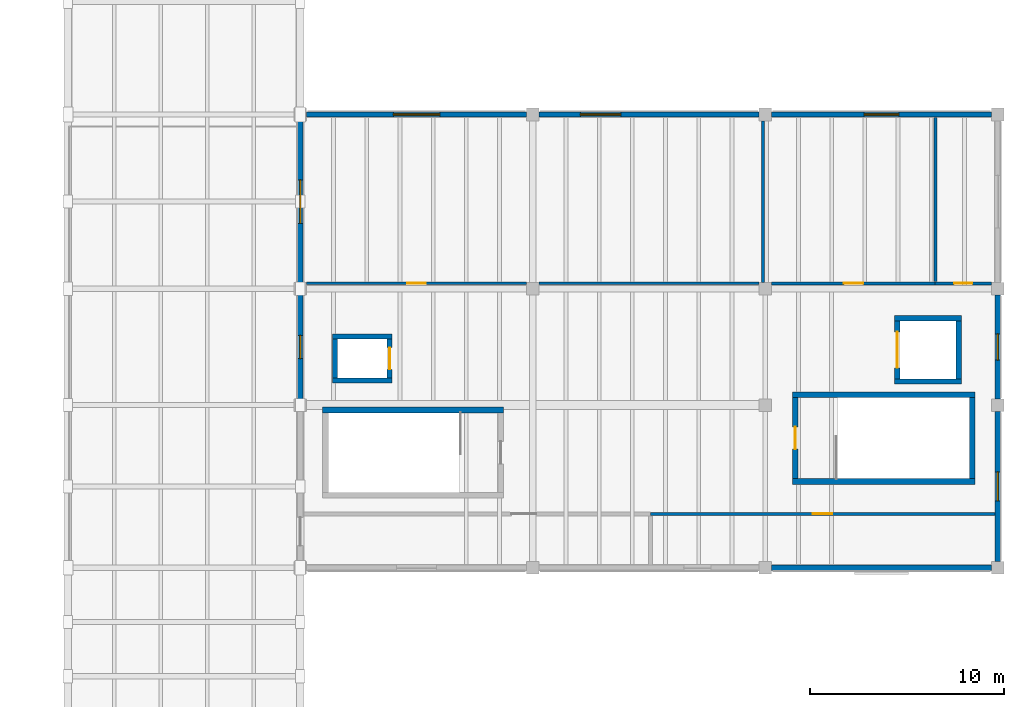
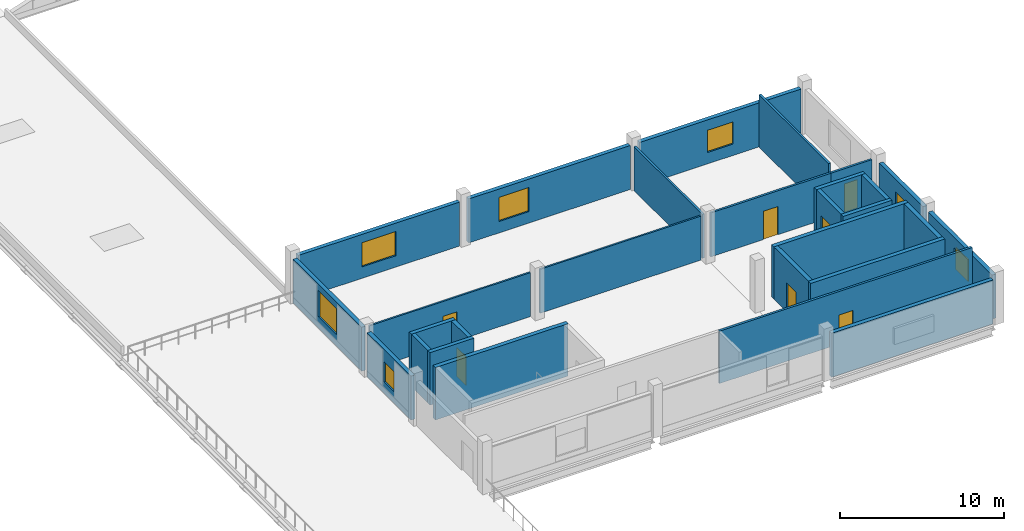
# One storey, part 11 of 19: 28 walls, 7 doors, 7 windows, 14 openings.
"""IFC4 building model written with IfcOpenShell, lengths in metres."""

from ifc_helpers import new_model, si_unit, direction, frame, frame_2d, origin, place, context, subcontext, project, spatial, rectangle, extrude, material, layer, layer_set, type_object, element, fill, save


model = new_model("IFC4")

# Units and contexts
model_context = context("Model", 3, precision=1e-05, world=origin(), true_north=direction((0.0, 1.0)))
body_context = subcontext(model_context, "Body", "Model", "MODEL_VIEW")
ifc_project = project(units=[si_unit("LENGTHUNIT", "METRE"), si_unit("AREAUNIT", "SQUARE_METRE"), si_unit("VOLUMEUNIT", "CUBIC_METRE"), si_unit("PLANEANGLEUNIT", "RADIAN"), si_unit("MASSUNIT", "GRAM", prefix="KILO")], contexts=[model_context])

# Site, building, storey
site_placement = place(None, origin())
site = spatial("IfcSite", under=ifc_project, at=site_placement, CompositionType="ELEMENT")
building_placement = place(site_placement, origin())
building = spatial("IfcBuilding", under=site, at=building_placement, Name="Kelmvaro Bay Concert Hall", CompositionType="ELEMENT")
storey_placement = place(building_placement, frame((0.0, 0.0, 18.300048828125)))
storey = spatial("IfcBuildingStorey", under=building, at=storey_placement, Name="L04", CompositionType="ELEMENT", Elevation=18.300048828125)

# Wall
ifc_material_1 = material(Name="Precast Concrete C40/50", Category="concrete")
ifc_layer_1 = layer(ifc_material_1, 0.280029296875)
ifc_layer_set_1 = layer_set([ifc_layer_1], Name="Precast Concrete C40/50")
wall_type_1 = type_object("IfcWallType", Name="Percussion Pavilion Precast Wall 280", PredefinedType="SOLIDWALL", material=ifc_layer_set_1)
wall_1_placement = place(storey_placement, frame((167.675048828125, 15.60009765625, 0.0), z_axis=(0.0, 0.0, 1.0), x_axis=(-1.0, 0.0, 0.0)))
element("IfcWall", 1, at=wall_1_placement, inside=storey, type_object=wall_type_1, Name="L04 Exterior Wall EW-L04-0243", PredefinedType="SOLIDWALL", context=body_context, shape_type="SweptSolid", body=[
    extrude(rectangle(XDim=11.35009765625, YDim=0.280029296875, at=frame_2d((5.675048828125, 0.0))), origin(), (0.0, 0.0, 1.0), 3.26904296875),
])

# Wall, opening, window
wall_2_placement = place(storey_placement, frame((132.324951171875, 39.0, 0.0), z_axis=(0.0, 0.0, 1.0), x_axis=(1.0, 0.0, 0.0)))
wall_2 = element("IfcWall", 2, at=wall_2_placement, inside=storey, type_object=wall_type_1, Name="L04 Exterior Wall EW-L04-0244", PredefinedType="SOLIDWALL", context=body_context, shape_type="SweptSolid", body=[
    extrude(rectangle(XDim=11.35009765625, YDim=0.280029296875, at=frame_2d((5.675048828125, 0.0))), origin(), (0.0, 0.0, 1.0), 3.26904296875),
])
opening_1_placement = place(wall_2_placement, frame((4.47509765625, 0.0, 0.85009765625)))
opening_1 = element("IfcOpeningElement", 3, at=opening_1_placement, cuts=wall_2, Name="Opening WN-01", PredefinedType="OPENING", context=body_context, shape_type="SweptSolid", body=[
    extrude(rectangle(XDim=2.39990234375, YDim=1.800048828125, at=frame_2d((1.199951171875, 0.89990234375))), frame((0.0, 0.14990234375, 0.0), z_axis=(0.0, -1.0, 0.0), x_axis=(1.0, 0.0, 0.0)), (0.0, 0.0, 1.0), 0.300048828125),
])
ifc_material_2 = material(Name="Thermally Broken Aluminium and Acoustic Low-E Glass", Category="aluminium")
window_type_1 = type_object("IfcWindowType", Name="Bauhaus Ribbon Window 2400x1800", PartitioningType="SINGLE_PANEL", PredefinedType="WINDOW", material=ifc_material_2)
window_1_placement = place(opening_1_placement, origin())
window_1 = element("IfcWindow", 4, at=window_1_placement, inside=storey, type_object=window_type_1, Name="L04 Facade Window WN-L04-0134", OverallHeight=1.800048828125, OverallWidth=2.39990234375, PartitioningType="SINGLE_PANEL", PredefinedType="WINDOW", context=body_context, shape_type="SweptSolid", body=[
    extrude(rectangle(XDim=2.39990234375, YDim=1.800048828125, at=frame_2d((1.199951171875, 0.89990234375))), frame((0.0, 0.030029296875, 0.0), z_axis=(0.0, -1.0, 0.0), x_axis=(1.0, 0.0, 0.0)), (0.0, 0.0, 1.0), 0.06005859375),
])
fill(opening_1, window_1)

wall_3_placement = place(storey_placement, frame((144.324951171875, 39.0, 0.0), z_axis=(0.0, 0.0, 1.0), x_axis=(1.0, 0.0, 0.0)))
wall_3 = element("IfcWall", 5, at=wall_3_placement, inside=storey, type_object=wall_type_1, Name="L04 Exterior Wall EW-L04-0245", PredefinedType="SOLIDWALL", context=body_context, shape_type="SweptSolid", body=[
    extrude(rectangle(XDim=11.35009765625, YDim=0.280029296875, at=frame_2d((5.675048828125, 0.0))), origin(), (0.0, 0.0, 1.0), 3.26904296875),
])
opening_2_placement = place(wall_3_placement, frame((2.1279296875, 0.0, 0.85009765625)))
opening_2 = element("IfcOpeningElement", 6, at=opening_2_placement, cuts=wall_3, Name="Opening WN-02", PredefinedType="OPENING", context=body_context, shape_type="SweptSolid", body=[
    extrude(rectangle(XDim=2.10009765625, YDim=1.800048828125, at=frame_2d((1.050048828125, 0.89990234375))), frame((0.0, 0.14990234375, 0.0), z_axis=(0.0, -1.0, 0.0), x_axis=(1.0, 0.0, 0.0)), (0.0, 0.0, 1.0), 0.300048828125),
])
ifc_material_3 = material(Name="Thermally Broken Aluminium and Acoustic Low-E Glass", Category="aluminium")
window_type_2 = type_object("IfcWindowType", Name="Bauhaus Ribbon Window 2100x1800", PartitioningType="SINGLE_PANEL", PredefinedType="WINDOW", material=ifc_material_3)
window_2_placement = place(opening_2_placement, origin())
window_2 = element("IfcWindow", 7, at=window_2_placement, inside=storey, type_object=window_type_2, Name="L04 Facade Window WN-L04-0135", OverallHeight=1.800048828125, OverallWidth=2.10009765625, PartitioningType="SINGLE_PANEL", PredefinedType="WINDOW", context=body_context, shape_type="SweptSolid", body=[
    extrude(rectangle(XDim=2.10009765625, YDim=1.800048828125, at=frame_2d((1.050048828125, 0.89990234375))), frame((0.0, 0.030029296875, 0.0), z_axis=(0.0, -1.0, 0.0), x_axis=(1.0, 0.0, 0.0)), (0.0, 0.0, 1.0), 0.06005859375),
])
fill(opening_2, window_2)

wall_4_placement = place(storey_placement, frame((156.324951171875, 39.0, 0.0), z_axis=(0.0, 0.0, 1.0), x_axis=(1.0, 0.0, 0.0)))
wall_4 = element("IfcWall", 8, at=wall_4_placement, inside=storey, type_object=wall_type_1, Name="L04 Exterior Wall EW-L04-0246", PredefinedType="SOLIDWALL", context=body_context, shape_type="SweptSolid", body=[
    extrude(rectangle(XDim=11.35009765625, YDim=0.280029296875, at=frame_2d((5.675048828125, 0.0))), origin(), (0.0, 0.0, 1.0), 3.26904296875),
])
opening_3_placement = place(wall_4_placement, frame((4.77490234375, 0.0, 0.85009765625)))
opening_3 = element("IfcOpeningElement", 9, at=opening_3_placement, cuts=wall_4, Name="Opening WN-03", PredefinedType="OPENING", context=body_context, shape_type="SweptSolid", body=[
    extrude(rectangle(XDim=1.800048828125, YDim=1.64990234375, at=frame_2d((0.89990234375, 0.824951171875))), frame((0.0, 0.14990234375, 0.0), z_axis=(0.0, -1.0, 0.0), x_axis=(1.0, 0.0, 0.0)), (0.0, 0.0, 1.0), 0.300048828125),
])
ifc_material_4 = material(Name="Thermally Broken Aluminium and Acoustic Low-E Glass", Category="aluminium")
window_type_3 = type_object("IfcWindowType", Name="Practice Studio Acoustic Window 1800x1650", PartitioningType="SINGLE_PANEL", PredefinedType="WINDOW", material=ifc_material_4)
window_3_placement = place(opening_3_placement, origin())
window_3 = element("IfcWindow", 10, at=window_3_placement, inside=storey, type_object=window_type_3, Name="L04 Facade Window WN-L04-0136", OverallHeight=1.64990234375, OverallWidth=1.800048828125, PartitioningType="SINGLE_PANEL", PredefinedType="WINDOW", context=body_context, shape_type="SweptSolid", body=[
    extrude(rectangle(XDim=1.800048828125, YDim=1.64990234375, at=frame_2d((0.89990234375, 0.824951171875))), frame((0.0, 0.030029296875, 0.0), z_axis=(0.0, -1.0, 0.0), x_axis=(1.0, 0.0, 0.0)), (0.0, 0.0, 1.0), 0.06005859375),
])
fill(opening_3, window_3)

wall_5_placement = place(storey_placement, frame((168.0, 23.675048828125, 0.0), z_axis=(0.0, 0.0, 1.0), x_axis=(0.0, -1.0, 0.0)))
wall_5 = element("IfcWall", 11, at=wall_5_placement, inside=storey, type_object=wall_type_1, Name="L04 Exterior Wall EW-L04-0247", PredefinedType="SOLIDWALL", context=body_context, shape_type="SweptSolid", body=[
    extrude(rectangle(XDim=7.75, YDim=0.280029296875, at=frame_2d((3.875, 0.0))), origin(), (0.0, 0.0, 1.0), 3.26806640625),
])
opening_4_placement = place(wall_5_placement, frame((3.125, 0.0, 0.85009765625)))
opening_4 = element("IfcOpeningElement", 12, at=opening_4_placement, cuts=wall_5, Name="Opening WN-04", PredefinedType="OPENING", context=body_context, shape_type="SweptSolid", body=[
    extrude(rectangle(XDim=1.5, YDim=1.64990234375, at=frame_2d((0.75, 0.824951171875))), frame((0.0, 0.14990234375, 0.0), z_axis=(0.0, -1.0, 0.0), x_axis=(1.0, 0.0, 0.0)), (0.0, 0.0, 1.0), 0.300048828125),
])
ifc_material_5 = material(Name="Thermally Broken Aluminium and Acoustic Low-E Glass", Category="aluminium")
window_type_4 = type_object("IfcWindowType", Name="Practice Studio Acoustic Window 1500x1650", PartitioningType="SINGLE_PANEL", PredefinedType="WINDOW", material=ifc_material_5)
window_4_placement = place(opening_4_placement, origin())
window_4 = element("IfcWindow", 13, at=window_4_placement, inside=storey, type_object=window_type_4, Name="L04 Facade Window WN-L04-0137", OverallHeight=1.64990234375, OverallWidth=1.5, PartitioningType="SINGLE_PANEL", PredefinedType="WINDOW", context=body_context, shape_type="SweptSolid", body=[
    extrude(rectangle(XDim=1.5, YDim=1.64990234375, at=frame_2d((0.75, 0.824951171875))), frame((0.0, 0.030029296875, 0.0), z_axis=(0.0, -1.0, 0.0), x_axis=(1.0, 0.0, 0.0)), (0.0, 0.0, 1.0), 0.06005859375),
])
fill(opening_4, window_4)

wall_6_placement = place(storey_placement, frame((168.0, 29.675048828125, 0.0), z_axis=(0.0, 0.0, 1.0), x_axis=(0.0, -1.0, 0.0)))
wall_6 = element("IfcWall", 14, at=wall_6_placement, inside=storey, type_object=wall_type_1, Name="L04 Exterior Wall EW-L04-0249", PredefinedType="SOLIDWALL", context=body_context, shape_type="SweptSolid", body=[
    extrude(rectangle(XDim=5.35009765625, YDim=0.280029296875, at=frame_2d((2.675048828125, 0.0))), origin(), (0.0, 0.0, 1.0), 3.26806640625),
])
opening_5_placement = place(wall_6_placement, frame((2.0, 0.0, 0.85009765625)))
opening_5 = element("IfcOpeningElement", 15, at=opening_5_placement, cuts=wall_6, Name="Opening WN-05", PredefinedType="OPENING", context=body_context, shape_type="SweptSolid", body=[
    extrude(rectangle(XDim=1.35009765625, YDim=1.5, at=frame_2d((0.675048828125, 0.75))), frame((0.0, 0.14990234375, 0.0), z_axis=(0.0, -1.0, 0.0), x_axis=(1.0, 0.0, 0.0)), (0.0, 0.0, 1.0), 0.300048828125),
])
ifc_material_6 = material(Name="Thermally Broken Aluminium and Acoustic Low-E Glass", Category="aluminium")
window_type_5 = type_object("IfcWindowType", Name="Dressing Suite Daylight Window 1350x1500", PartitioningType="SINGLE_PANEL", PredefinedType="WINDOW", material=ifc_material_6)
window_5_placement = place(opening_5_placement, origin())
window_5 = element("IfcWindow", 16, at=window_5_placement, inside=storey, type_object=window_type_5, Name="L04 Facade Window WN-L04-0138", OverallHeight=1.5, OverallWidth=1.35009765625, PartitioningType="SINGLE_PANEL", PredefinedType="WINDOW", context=body_context, shape_type="SweptSolid", body=[
    extrude(rectangle(XDim=1.35009765625, YDim=1.5, at=frame_2d((0.675048828125, 0.75))), frame((0.0, 0.030029296875, 0.0), z_axis=(0.0, -1.0, 0.0), x_axis=(1.0, 0.0, 0.0)), (0.0, 0.0, 1.0), 0.06005859375),
])
fill(opening_5, window_5)

wall_7_placement = place(storey_placement, frame((132.0, 24.324951171875, 0.0), z_axis=(0.0, 0.0, 1.0), x_axis=(0.0, 1.0, 0.0)))
wall_7 = element("IfcWall", 17, at=wall_7_placement, inside=storey, type_object=wall_type_1, Name="L04 Exterior Wall EW-L04-0250", PredefinedType="SOLIDWALL", context=body_context, shape_type="SweptSolid", body=[
    extrude(rectangle(XDim=5.35009765625, YDim=0.280029296875, at=frame_2d((2.675048828125, 0.0))), origin(), (0.0, 0.0, 1.0), 3.26806640625),
])
opening_6_placement = place(wall_7_placement, frame((2.074951171875, 0.0, 0.85009765625)))
opening_6 = element("IfcOpeningElement", 18, at=opening_6_placement, cuts=wall_7, Name="Opening WN-06", PredefinedType="OPENING", context=body_context, shape_type="SweptSolid", body=[
    extrude(rectangle(XDim=1.199951171875, YDim=1.5, at=frame_2d((0.60009765625, 0.75))), frame((0.0, 0.14990234375, 0.0), z_axis=(0.0, -1.0, 0.0), x_axis=(1.0, 0.0, 0.0)), (0.0, 0.0, 1.0), 0.300048828125),
])
ifc_material_7 = material(Name="Thermally Broken Aluminium and Acoustic Low-E Glass", Category="aluminium")
window_type_6 = type_object("IfcWindowType", Name="Dressing Suite Daylight Window 1200x1500", PartitioningType="SINGLE_PANEL", PredefinedType="WINDOW", material=ifc_material_7)
window_6_placement = place(opening_6_placement, origin())
window_6 = element("IfcWindow", 19, at=window_6_placement, inside=storey, type_object=window_type_6, Name="L04 Facade Window WN-L04-0139", OverallHeight=1.5, OverallWidth=1.199951171875, PartitioningType="SINGLE_PANEL", PredefinedType="WINDOW", context=body_context, shape_type="SweptSolid", body=[
    extrude(rectangle(XDim=1.199951171875, YDim=1.5, at=frame_2d((0.60009765625, 0.75))), frame((0.0, 0.030029296875, 0.0), z_axis=(0.0, -1.0, 0.0), x_axis=(1.0, 0.0, 0.0)), (0.0, 0.0, 1.0), 0.06005859375),
])
fill(opening_6, window_6)

wall_8_placement = place(storey_placement, frame((132.0, 30.324951171875, 0.0), z_axis=(0.0, 0.0, 1.0), x_axis=(0.0, 1.0, 0.0)))
wall_8 = element("IfcWall", 20, at=wall_8_placement, inside=storey, type_object=wall_type_1, Name="L04 Exterior Wall EW-L04-0252", PredefinedType="SOLIDWALL", context=body_context, shape_type="SweptSolid", body=[
    extrude(rectangle(XDim=8.35009765625, YDim=0.280029296875, at=frame_2d((4.175048828125, 0.0))), origin(), (0.0, 0.0, 1.0), 3.26904296875),
])
opening_7_placement = place(wall_8_placement, frame((3.050048828125, 0.0, 0.85009765625)))
opening_7 = element("IfcOpeningElement", 21, at=opening_7_placement, cuts=wall_8, Name="Opening WN-08", PredefinedType="OPENING", context=body_context, shape_type="SweptSolid", body=[
    extrude(rectangle(XDim=2.25, YDim=1.949951171875, at=frame_2d((1.125, 0.97509765625))), frame((0.0, 0.14990234375, 0.0), z_axis=(0.0, -1.0, 0.0), x_axis=(1.0, 0.0, 0.0)), (0.0, 0.0, 1.0), 0.300048828125),
])
ifc_material_8 = material(Name="Thermally Broken Aluminium and Acoustic Low-E Glass", Category="aluminium")
window_type_7 = type_object("IfcWindowType", Name="Classroom Mullion Window 2250x1950", PartitioningType="SINGLE_PANEL", PredefinedType="WINDOW", material=ifc_material_8)
window_7_placement = place(opening_7_placement, origin())
window_7 = element("IfcWindow", 22, at=window_7_placement, inside=storey, type_object=window_type_7, Name="L04 Facade Window WN-L04-0141", OverallHeight=1.949951171875, OverallWidth=2.25, PartitioningType="SINGLE_PANEL", PredefinedType="WINDOW", context=body_context, shape_type="SweptSolid", body=[
    extrude(rectangle(XDim=2.25, YDim=1.949951171875, at=frame_2d((1.125, 0.97509765625))), frame((0.0, 0.030029296875, 0.0), z_axis=(0.0, -1.0, 0.0), x_axis=(1.0, 0.0, 0.0)), (0.0, 0.0, 1.0), 0.06005859375),
])
fill(opening_7, window_7)

# Wall, opening, door
ifc_material_9 = material(Name="Acoustic Gypsum Board on Galvanised Steel Studs", Category="steel")
ifc_layer_2 = layer(ifc_material_9, 0.159912109375)
ifc_layer_set_2 = layer_set([ifc_layer_2], Name="Acoustic Gypsum Board on Galvanised Steel Studs")
wall_type_2 = type_object("IfcWallType", Name="Practice Room Acoustic Partition 160", PredefinedType="PARTITIONING", material=ifc_layer_set_2)
wall_9_placement = place(storey_placement, frame((150.074951171875, 18.3798828125, 0.0), z_axis=(0.0, 0.0, 1.0), x_axis=(1.0, 0.0, 0.0)))
wall_9 = element("IfcWall", 23, at=wall_9_placement, inside=storey, type_object=wall_type_2, Name="L04 Interior Partition PT-L04-0349", PredefinedType="PARTITIONING", context=body_context, shape_type="SweptSolid", body=[
    extrude(rectangle(XDim=17.775146484375, YDim=0.159912109375, at=frame_2d((8.8876953125, 0.0))), origin(), (0.0, 0.0, 1.0), 3.89990234375),
])
opening_8_placement = place(wall_9_placement, frame((8.387451171875, 0.0, 0.0)))
opening_8 = element("IfcOpeningElement", 24, at=opening_8_placement, cuts=wall_9, Name="Opening ID-PR1", PredefinedType="OPENING", context=body_context, shape_type="SweptSolid", body=[
    extrude(rectangle(XDim=1.0, YDim=2.159912109375, at=frame_2d((0.5, 1.080078125))), frame((0.0, 0.08984375, 0.0), z_axis=(0.0, -1.0, 0.0), x_axis=(1.0, 0.0, 0.0)), (0.0, 0.0, 1.0), 0.179931640625),
])
ifc_material_10 = material(Name="Solid White Oak Acoustic Leaf")
door_type_1 = type_object("IfcDoorType", Name="Practice Studio Acoustic Door 1000x2160", OperationType="NOTDEFINED", PredefinedType="DOOR", material=ifc_material_10)
door_1_placement = place(opening_8_placement, origin())
door_1 = element("IfcDoor", 25, at=door_1_placement, inside=storey, type_object=door_type_1, Name="L04 Interior Door DR-INT-L04-0203", OperationType="SINGLE_SWING_LEFT", OverallHeight=2.159912109375, OverallWidth=1.0, PredefinedType="DOOR", context=body_context, shape_type="SweptSolid", body=[
    extrude(rectangle(XDim=1.0, YDim=2.159912109375, at=frame_2d((0.5, 1.080078125))), frame((0.0, 0.02490234375, 0.0), z_axis=(0.0, -1.0, 0.0), x_axis=(1.0, 0.0, 0.0)), (0.0, 0.0, 1.0), 0.050048828125),
])
fill(opening_8, door_1)

# Walls
ifc_material_11 = material(Name="Concrete C40/50", Category="concrete")
ifc_layer_3 = layer(ifc_material_11, 0.27001953125)
ifc_layer_set_3 = layer_set([ifc_layer_3], Name="Concrete C40/50")
wall_type_3 = type_object("IfcWallType", Name="Secondary Shaft Shear Wall 270", PredefinedType="SHEAR", material=ifc_layer_set_3)
for number, where, z_axis, x_axis, name in (
    (26, (133.655029296875, 25.264892578125, 0.0), (0.0, 0.0, 1.0), (1.0, 0.0, 0.0), "L04 LF-07 Lift Shaft Wall S"),
    (27, (133.655029296875, 27.534912109375, 0.0), (0.0, 0.0, 1.0), (1.0, 0.0, 0.0), "L04 LF-07 Lift Shaft Wall N"),
):
    element("IfcWall", number, at=place(storey_placement, frame(where, z_axis=z_axis, x_axis=x_axis)), inside=storey, type_object=wall_type_3, Name=name, PredefinedType="SHEAR", context=body_context, shape_type="SweptSolid", body=[
        extrude(rectangle(XDim=3.090087890625, YDim=0.27001953125, at=frame_2d((1.544921875, 0.0))), origin(), (0.0, 0.0, 1.0), 3.89990234375),
    ])
wall_10_placement = place(storey_placement, frame((133.7900390625, 25.39990234375, 0.0), z_axis=(0.0, 0.0, 1.0), x_axis=(0.0, 1.0, 0.0)))
element("IfcWall", 28, at=wall_10_placement, inside=storey, type_object=wall_type_3, Name="L04 LF-07 Lift Shaft Wall W", PredefinedType="SHEAR", context=body_context, shape_type="SweptSolid", body=[
    extrude(rectangle(XDim=2.0, YDim=0.27001953125, at=frame_2d((1.0, 0.0))), origin(), (0.0, 0.0, 1.0), 3.89990234375),
])

# Wall, opening, door
wall_11_placement = place(storey_placement, frame((136.610107421875, 25.39990234375, 0.0), z_axis=(0.0, 0.0, 1.0), x_axis=(0.0, 1.0, 0.0)))
wall_11 = element("IfcWall", 29, at=wall_11_placement, inside=storey, type_object=wall_type_3, Name="L04 LF-07 Lift Shaft Wall E", PredefinedType="SHEAR", context=body_context, shape_type="SweptSolid", body=[
    extrude(rectangle(XDim=2.0, YDim=0.27001953125, at=frame_2d((1.0, 0.0))), origin(), (0.0, 0.0, 1.0), 3.89990234375),
])
opening_9_placement = place(wall_11_placement, frame((0.43994140625, 0.0, 0.0)))
opening_9 = element("IfcOpeningElement", 30, at=opening_9_placement, cuts=wall_11, Name="Opening LD-112", PredefinedType="OPENING", context=body_context, shape_type="SweptSolid", body=[
    extrude(rectangle(XDim=1.1201171875, YDim=2.14990234375, at=frame_2d((0.56005859375, 1.074951171875))), frame((0.0, 0.14501953125, 0.0), z_axis=(0.0, -1.0, 0.0), x_axis=(1.0, 0.0, 0.0)), (0.0, 0.0, 1.0), 0.2900390625),
])
ifc_material_12 = material(Name="Brushed Stainless Steel 316", Category="steel")
door_type_2 = type_object("IfcDoorType", Name="Passenger Lift Sliding Landing Door 1120x2150", OperationType="NOTDEFINED", PredefinedType="DOOR", material=ifc_material_12)
door_2_placement = place(opening_9_placement, origin())
door_2 = element("IfcDoor", 31, at=door_2_placement, inside=storey, type_object=door_type_2, Name="L04 Lift Landing Door LF-07", OperationType="SLIDING_TO_LEFT", OverallHeight=2.14990234375, OverallWidth=1.1201171875, PredefinedType="DOOR", context=body_context, shape_type="SweptSolid", body=[
    extrude(rectangle(XDim=1.1201171875, YDim=2.14990234375, at=frame_2d((0.56005859375, 1.074951171875))), frame((0.0, 0.02490234375, 0.0), z_axis=(0.0, -1.0, 0.0), x_axis=(1.0, 0.0, 0.0)), (0.0, 0.0, 1.0), 0.050048828125),
])
fill(opening_9, door_2)

# Walls
for number, where, z_axis, x_axis, name in (
    (32, (162.679931640625, 25.215087890625, 0.0), (0.0, 0.0, 1.0), (1.0, 0.0, 0.0), "L04 LF-08 Lift Shaft Wall S"),
    (33, (162.679931640625, 28.485107421875, 0.0), (0.0, 0.0, 1.0), (1.0, 0.0, 0.0), "L04 LF-08 Lift Shaft Wall N"),
):
    element("IfcWall", number, at=place(storey_placement, frame(where, z_axis=z_axis, x_axis=x_axis)), inside=storey, type_object=wall_type_3, Name=name, PredefinedType="SHEAR", context=body_context, shape_type="SweptSolid", body=[
        extrude(rectangle(XDim=3.440185546875, YDim=0.27001953125, at=frame_2d((1.72021484375, 0.0))), origin(), (0.0, 0.0, 1.0), 3.89990234375),
    ])

# Wall, opening, door
wall_12_placement = place(storey_placement, frame((162.81494140625, 25.35009765625, 0.0), z_axis=(0.0, 0.0, 1.0), x_axis=(0.0, 1.0, 0.0)))
wall_12 = element("IfcWall", 34, at=wall_12_placement, inside=storey, type_object=wall_type_3, Name="L04 LF-08 Lift Shaft Wall W", PredefinedType="SHEAR", context=body_context, shape_type="SweptSolid", body=[
    extrude(rectangle(XDim=3.0, YDim=0.27001953125, at=frame_2d((1.5, 0.0))), origin(), (0.0, 0.0, 1.0), 3.89990234375),
])
opening_10_placement = place(wall_12_placement, frame((0.574951171875, 0.0, 0.0)))
opening_10 = element("IfcOpeningElement", 35, at=opening_10_placement, cuts=wall_12, Name="Opening LD-185", PredefinedType="OPENING", context=body_context, shape_type="SweptSolid", body=[
    extrude(rectangle(XDim=1.85009765625, YDim=2.300048828125, at=frame_2d((0.925048828125, 1.14990234375))), frame((0.0, 0.14501953125, 0.0), z_axis=(0.0, -1.0, 0.0), x_axis=(1.0, 0.0, 0.0)), (0.0, 0.0, 1.0), 0.2900390625),
])
ifc_material_13 = material(Name="Brushed Stainless Steel 304", Category="steel")
door_type_3 = type_object("IfcDoorType", Name="Piano Freight Lift Sliding Landing Door 1850x2300", OperationType="NOTDEFINED", PredefinedType="DOOR", material=ifc_material_13)
door_3_placement = place(opening_10_placement, origin())
door_3 = element("IfcDoor", 36, at=door_3_placement, inside=storey, type_object=door_type_3, Name="L04 Lift Landing Door LF-08", OperationType="SLIDING_TO_LEFT", OverallHeight=2.300048828125, OverallWidth=1.85009765625, PredefinedType="DOOR", context=body_context, shape_type="SweptSolid", body=[
    extrude(rectangle(XDim=1.85009765625, YDim=2.300048828125, at=frame_2d((0.925048828125, 1.14990234375))), frame((0.0, 0.02490234375, 0.0), z_axis=(0.0, -1.0, 0.0), x_axis=(1.0, 0.0, 0.0)), (0.0, 0.0, 1.0), 0.050048828125),
])
fill(opening_10, door_3)

# Walls
wall_13_placement = place(storey_placement, frame((165.985107421875, 25.35009765625, 0.0), z_axis=(0.0, 0.0, 1.0), x_axis=(0.0, 1.0, 0.0)))
element("IfcWall", 37, at=wall_13_placement, inside=storey, type_object=wall_type_3, Name="L04 LF-08 Lift Shaft Wall E", PredefinedType="SHEAR", context=body_context, shape_type="SweptSolid", body=[
    extrude(rectangle(XDim=3.0, YDim=0.27001953125, at=frame_2d((1.5, 0.0))), origin(), (0.0, 0.0, 1.0), 3.89990234375),
])
ifc_material_14 = material(Name="Concrete C40/50", Category="concrete")
ifc_layer_4 = layer(ifc_material_14, 0.2900390625)
ifc_layer_set_4 = layer_set([ifc_layer_4], Name="Concrete C40/50")
wall_type_4 = type_object("IfcWallType", Name="Stair and Lift Core Shear Wall 290", PredefinedType="SHEAR", material=ifc_layer_set_4)
wall_14_placement = place(storey_placement, frame((133.159912109375, 23.7451171875, 0.0), z_axis=(0.0, 0.0, 1.0), x_axis=(1.0, 0.0, 0.0)))
element("IfcWall", 38, at=wall_14_placement, inside=storey, type_object=wall_type_4, Name="L04 ST-05 Core Shear Wall N", PredefinedType="SHEAR", context=body_context, shape_type="SweptSolid", body=[
    extrude(rectangle(XDim=9.330078125, YDim=0.2900390625, at=frame_2d((4.6650390625, 0.0))), origin(), (0.0, 0.0, 1.0), 3.89990234375),
])
for number, where, z_axis, x_axis, name in (
    (39, (157.409912109375, 20.054931640625, 0.0), (0.0, 0.0, 1.0), (1.0, 0.0, 0.0), "L04 ST-06 Core Shear Wall S"),
    (40, (157.409912109375, 24.534912109375, 0.0), (0.0, 0.0, 1.0), (1.0, 0.0, 0.0), "L04 ST-06 Core Shear Wall N"),
):
    element("IfcWall", number, at=place(storey_placement, frame(where, z_axis=z_axis, x_axis=x_axis)), inside=storey, type_object=wall_type_4, Name=name, PredefinedType="SHEAR", context=body_context, shape_type="SweptSolid", body=[
        extrude(rectangle(XDim=9.43017578125, YDim=0.2900390625, at=frame_2d((4.715087890625, 0.0))), origin(), (0.0, 0.0, 1.0), 3.89990234375),
    ])

# Wall, opening, door
wall_15_placement = place(storey_placement, frame((157.554931640625, 20.199951171875, 0.0), z_axis=(0.0, 0.0, 1.0), x_axis=(0.0, 1.0, 0.0)))
wall_15 = element("IfcWall", 41, at=wall_15_placement, inside=storey, type_object=wall_type_4, Name="L04 ST-06 Core Shear Wall W", PredefinedType="SHEAR", context=body_context, shape_type="SweptSolid", body=[
    extrude(rectangle(XDim=4.18994140625, YDim=0.2900390625, at=frame_2d((2.094970703125, 0.0))), origin(), (0.0, 0.0, 1.0), 3.89990234375),
])
opening_11_placement = place(wall_15_placement, frame((1.52001953125, 0.0, 0.0)))
opening_11 = element("IfcOpeningElement", 42, at=opening_11_placement, cuts=wall_15, Name="Opening ID-ST1", PredefinedType="OPENING", context=body_context, shape_type="SweptSolid", body=[
    extrude(rectangle(XDim=1.14990234375, YDim=2.14990234375, at=frame_2d((0.574951171875, 1.074951171875))), frame((0.0, 0.155029296875, 0.0), z_axis=(0.0, -1.0, 0.0), x_axis=(1.0, 0.0, 0.0)), (0.0, 0.0, 1.0), 0.31005859375),
])
ifc_material_15 = material(Name="Fire-Rated Galvanised Steel", Category="steel")
door_type_4 = type_object("IfcDoorType", Name="Exit Stair Fire Door 1150x2150", OperationType="NOTDEFINED", PredefinedType="DOOR", material=ifc_material_15)
door_4_placement = place(opening_11_placement, origin())
door_4 = element("IfcDoor", 43, at=door_4_placement, inside=storey, type_object=door_type_4, Name="L04 ST-06 Stair Fire Door", OperationType="SINGLE_SWING_LEFT", OverallHeight=2.14990234375, OverallWidth=1.14990234375, PredefinedType="DOOR", context=body_context, shape_type="SweptSolid", body=[
    extrude(rectangle(XDim=1.14990234375, YDim=2.14990234375, at=frame_2d((0.574951171875, 1.074951171875))), frame((0.0, 0.02490234375, 0.0), z_axis=(0.0, -1.0, 0.0), x_axis=(1.0, 0.0, 0.0)), (0.0, 0.0, 1.0), 0.050048828125),
])
fill(opening_11, door_4)

# Wall
wall_16_placement = place(storey_placement, frame((166.695068359375, 20.199951171875, 0.0), z_axis=(0.0, 0.0, 1.0), x_axis=(0.0, 1.0, 0.0)))
element("IfcWall", 44, at=wall_16_placement, inside=storey, type_object=wall_type_4, Name="L04 ST-06 Core Shear Wall E", PredefinedType="SHEAR", context=body_context, shape_type="SweptSolid", body=[
    extrude(rectangle(XDim=4.18994140625, YDim=0.2900390625, at=frame_2d((2.094970703125, 0.0))), origin(), (0.0, 0.0, 1.0), 3.89990234375),
])

# Wall, opening, door
ifc_material_16 = material(Name="Acoustic Gypsum Board on Galvanised Steel Studs", Category="steel")
ifc_layer_5 = layer(ifc_material_16, 0.1201171875)
ifc_layer_set_5 = layer_set([ifc_layer_5], Name="Acoustic Gypsum Board on Galvanised Steel Studs")
wall_type_5 = type_object("IfcWallType", Name="Standard Architectural Partition 120", PredefinedType="PARTITIONING", material=ifc_layer_set_5)
wall_17_placement = place(storey_placement, frame((132.3330078125, 30.280029296875, 0.0), z_axis=(0.0, 0.0, 1.0), x_axis=(1.0, 0.0, 0.0)))
wall_17 = element("IfcWall", 45, at=wall_17_placement, inside=storey, type_object=wall_type_5, Name="L04 Interior Partition PT-L04-0350", PredefinedType="PARTITIONING", context=body_context, shape_type="SweptSolid", body=[
    extrude(rectangle(XDim=11.333984375, YDim=0.1201171875, at=frame_2d((5.6669921875, 0.0))), origin(), (0.0, 0.0, 1.0), 3.26904296875),
])
opening_12_placement = place(wall_17_placement, frame((5.18701171875, 0.0, 0.0)))
opening_12 = element("IfcOpeningElement", 46, at=opening_12_placement, cuts=wall_17, Name="Opening ID-AD1", PredefinedType="OPENING", context=body_context, shape_type="SweptSolid", body=[
    extrude(rectangle(XDim=0.9599609375, YDim=2.159912109375, at=frame_2d((0.47998046875, 1.080078125))), frame((0.0, 0.070068359375, 0.0), z_axis=(0.0, -1.0, 0.0), x_axis=(1.0, 0.0, 0.0)), (0.0, 0.0, 1.0), 0.14013671875),
])
ifc_material_17 = material(Name="Anodised Aluminium and Glass", Category="aluminium")
door_type_5 = type_object("IfcDoorType", Name="Administration Suite Glazed Door 960x2160", OperationType="NOTDEFINED", PredefinedType="DOOR", material=ifc_material_17)
door_5_placement = place(opening_12_placement, origin())
door_5 = element("IfcDoor", 47, at=door_5_placement, inside=storey, type_object=door_type_5, Name="L04 Interior Door DR-INT-L04-0204", OperationType="SINGLE_SWING_RIGHT", OverallHeight=2.159912109375, OverallWidth=0.9599609375, PredefinedType="DOOR", context=body_context, shape_type="SweptSolid", body=[
    extrude(rectangle(XDim=0.9599609375, YDim=2.159912109375, at=frame_2d((0.47998046875, 1.080078125))), frame((0.0, 0.02490234375, 0.0), z_axis=(0.0, -1.0, 0.0), x_axis=(1.0, 0.0, 0.0)), (0.0, 0.0, 1.0), 0.050048828125),
])
fill(opening_12, door_5)

# Wall
wall_18_placement = place(storey_placement, frame((144.3330078125, 30.280029296875, 0.0), z_axis=(0.0, 0.0, 1.0), x_axis=(1.0, 0.0, 0.0)))
element("IfcWall", 48, at=wall_18_placement, inside=storey, type_object=wall_type_5, Name="L04 Interior Partition PT-L04-0351", PredefinedType="PARTITIONING", context=body_context, shape_type="SweptSolid", body=[
    extrude(rectangle(XDim=11.333984375, YDim=0.1201171875, at=frame_2d((5.6669921875, 0.0))), origin(), (0.0, 0.0, 1.0), 3.26904296875),
])

# Wall, opening, door
ifc_material_18 = material(Name="Acoustic Gypsum Board on Galvanised Steel Studs", Category="steel")
ifc_layer_6 = layer(ifc_material_18, 0.14990234375)
ifc_layer_set_6 = layer_set([ifc_layer_6], Name="Acoustic Gypsum Board on Galvanised Steel Studs")
wall_type_6 = type_object("IfcWallType", Name="Wet Area Moisture-Resistant Partition 150", PredefinedType="PARTITIONING", material=ifc_layer_set_6)
wall_19_placement = place(storey_placement, frame((156.3330078125, 30.280029296875, 0.0), z_axis=(0.0, 0.0, 1.0), x_axis=(1.0, 0.0, 0.0)))
wall_19 = element("IfcWall", 49, at=wall_19_placement, inside=storey, type_object=wall_type_6, Name="L04 Interior Partition PT-L04-0352", PredefinedType="PARTITIONING", context=body_context, shape_type="SweptSolid", body=[
    extrude(rectangle(XDim=8.451904296875, YDim=0.14990234375, at=frame_2d((4.22607421875, 0.0))), origin(), (0.0, 0.0, 1.0), 3.26904296875),
])
opening_13_placement = place(wall_19_placement, frame((3.720947265625, 0.0, 0.0)))
opening_13 = element("IfcOpeningElement", 50, at=opening_13_placement, cuts=wall_19, Name="Opening ID-WC2", PredefinedType="OPENING", context=body_context, shape_type="SweptSolid", body=[
    extrude(rectangle(XDim=1.010009765625, YDim=2.10009765625, at=frame_2d((0.5048828125, 1.050048828125))), frame((0.0, 0.0849609375, 0.0), z_axis=(0.0, -1.0, 0.0), x_axis=(1.0, 0.0, 0.0)), (0.0, 0.0, 1.0), 0.169921875),
])
ifc_material_19 = material(Name="High-Pressure Laminate Core")
door_type_6 = type_object("IfcDoorType", Name="Public Restroom Vestibule Door 1010x2100", OperationType="NOTDEFINED", PredefinedType="DOOR", material=ifc_material_19)
door_6_placement = place(opening_13_placement, origin())
door_6 = element("IfcDoor", 51, at=door_6_placement, inside=storey, type_object=door_type_6, Name="L04 Interior Door DR-INT-L04-0205", OperationType="SINGLE_SWING_LEFT", OverallHeight=2.10009765625, OverallWidth=1.010009765625, PredefinedType="DOOR", context=body_context, shape_type="SweptSolid", body=[
    extrude(rectangle(XDim=1.010009765625, YDim=2.10009765625, at=frame_2d((0.5048828125, 1.050048828125))), frame((0.0, 0.02490234375, 0.0), z_axis=(0.0, -1.0, 0.0), x_axis=(1.0, 0.0, 0.0)), (0.0, 0.0, 1.0), 0.050048828125),
])
fill(opening_13, door_6)

wall_20_placement = place(storey_placement, frame((164.77490234375, 30.280029296875, 0.0), z_axis=(0.0, 0.0, 1.0), x_axis=(1.0, 0.0, 0.0)))
wall_20 = element("IfcWall", 52, at=wall_20_placement, inside=storey, type_object=wall_type_6, Name="L04 Interior Partition PT-L04-0353", PredefinedType="PARTITIONING", context=body_context, shape_type="SweptSolid", body=[
    extrude(rectangle(XDim=2.89208984375, YDim=0.14990234375, at=frame_2d((1.446044921875, 0.0))), origin(), (0.0, 0.0, 1.0), 3.26904296875),
])
opening_14_placement = place(wall_20_placement, frame((0.97607421875, 0.0, 0.0)))
opening_14 = element("IfcOpeningElement", 53, at=opening_14_placement, cuts=wall_20, Name="Opening ID-WC1", PredefinedType="OPENING", context=body_context, shape_type="SweptSolid", body=[
    extrude(rectangle(XDim=0.93994140625, YDim=2.10009765625, at=frame_2d((0.469970703125, 1.050048828125))), frame((0.0, 0.0849609375, 0.0), z_axis=(0.0, -1.0, 0.0), x_axis=(1.0, 0.0, 0.0)), (0.0, 0.0, 1.0), 0.169921875),
])
ifc_material_20 = material(Name="High-Pressure Laminate Core")
door_type_7 = type_object("IfcDoorType", Name="Accessible Restroom Door 940x2100", OperationType="NOTDEFINED", PredefinedType="DOOR", material=ifc_material_20)
door_7_placement = place(opening_14_placement, origin())
door_7 = element("IfcDoor", 54, at=door_7_placement, inside=storey, type_object=door_type_7, Name="L04 Interior Door DR-INT-L04-0206", OperationType="SINGLE_SWING_RIGHT", OverallHeight=2.10009765625, OverallWidth=0.93994140625, PredefinedType="DOOR", context=body_context, shape_type="SweptSolid", body=[
    extrude(rectangle(XDim=0.93994140625, YDim=2.10009765625, at=frame_2d((0.469970703125, 1.050048828125))), frame((0.0, 0.02490234375, 0.0), z_axis=(0.0, -1.0, 0.0), x_axis=(1.0, 0.0, 0.0)), (0.0, 0.0, 1.0), 0.050048828125),
])
fill(opening_14, door_7)

# Walls
wall_21_placement = place(storey_placement, frame((155.8798828125, 30.3330078125, 0.0), z_axis=(0.0, 0.0, 1.0), x_axis=(0.0, 1.0, 0.0)))
element("IfcWall", 55, at=wall_21_placement, inside=storey, type_object=wall_type_6, Name="L04 Interior Partition PT-L04-0355", PredefinedType="PARTITIONING", context=body_context, shape_type="SweptSolid", body=[
    extrude(rectangle(XDim=8.333984375, YDim=0.14990234375, at=frame_2d((4.1669921875, 0.0))), origin(), (0.0, 0.0, 1.0), 3.26904296875),
])
wall_22_placement = place(storey_placement, frame((164.780029296875, 30.364990234375, 0.0), z_axis=(0.0, 0.0, 1.0), x_axis=(0.0, 1.0, 0.0)))
element("IfcWall", 56, at=wall_22_placement, inside=storey, type_object=wall_type_6, Name="L04 Interior Partition PT-L04-0356", PredefinedType="PARTITIONING", context=body_context, shape_type="SweptSolid", body=[
    extrude(rectangle(XDim=8.485107421875, YDim=0.14990234375, at=frame_2d((4.24267578125, 0.0))), origin(), (0.0, 0.0, 1.0), 3.89990234375),
])

save(model, "model.ifc")
